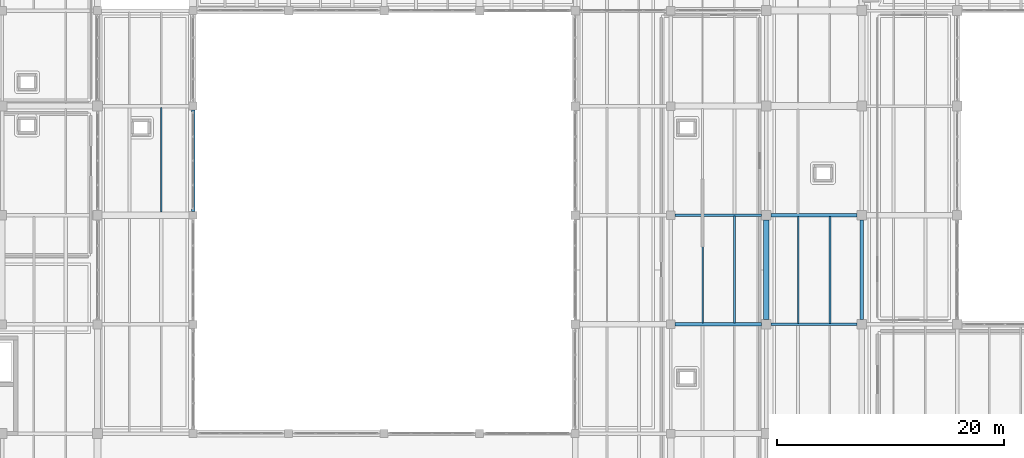
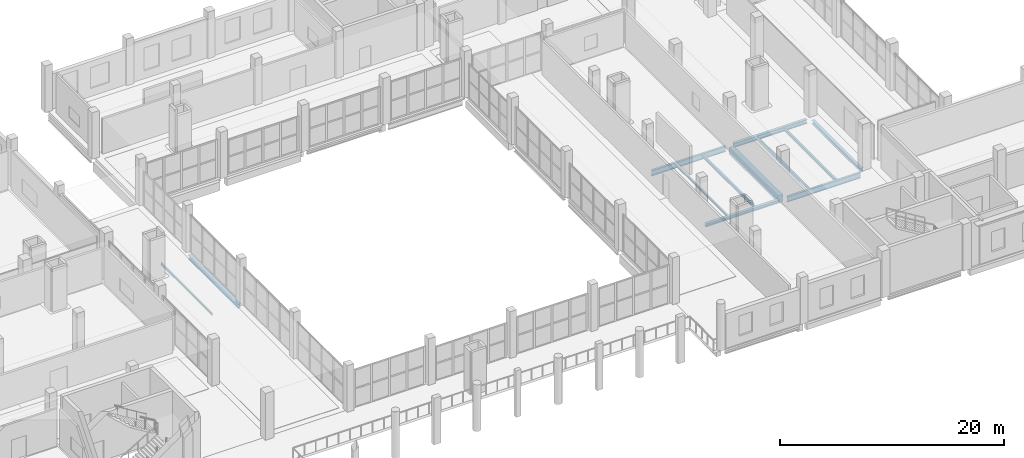
# One storey, part 18 of 66: 12 beams.
"""IFC4 building model written with IfcOpenShell, lengths in metres."""

import ifcopenshell
import ifcopenshell.guid

model = None  # the IFC model being written
_history = None  # IfcOwnerHistory: only IFC2X3 demands one
_inside = {}  # id of a spatial element -> (the spatial element, [elements in it])
_under = {}  # id of a project, library or spatial element -> (it, [spatial elements below it])
_declared = {}  # id of a project -> (the project, [libraries it declares])
_typed = {}  # id of a type object -> (the type object, [elements of that type])
_made_of = {}  # id of a material, layer set ... -> (it, [elements and type objects made of it])


def new_model(schema):
    """Start an empty IFC model of exactly this schema.

    Asked for "IFC4X3", IfcOpenShell would pick the latest addendum, in which some entities
    have other attributes; the version numbers below select the first issue.
    IFC2X3 requires an IfcOwnerHistory on every rooted entity: one is made here for all.
    """
    global model, _history
    if schema == "IFC4X3":
        model = ifcopenshell.file(schema_version=(4, 3, 0, 0))
    else:
        model = ifcopenshell.file(schema=schema)
    _inside.clear()
    _under.clear()
    _declared.clear()
    _typed.clear()
    _made_of.clear()
    _history = None
    if model.schema == "IFC2X3":
        org = make("IfcOrganization", Name="unknown")
        user = make(
            "IfcPersonAndOrganization",
            ThePerson=make("IfcPerson", FamilyName="unknown"),
            TheOrganization=org,
        )
        app = make(
            "IfcApplication",
            ApplicationDeveloper=org,
            Version="unknown",
            ApplicationFullName="unknown",
            ApplicationIdentifier="unknown",
        )
        _history = make(
            "IfcOwnerHistory",
            OwningUser=user,
            OwningApplication=app,
            ChangeAction="ADDED",
            CreationDate=0,
        )
    return model


def make(cls, **values):
    """One entity of the class cls with the attributes given. An attribute that is None is left unset."""
    return model.create_entity(
        cls, **{name: value for name, value in values.items() if value is not None}
    )


def rooted(cls, **values):
    """An entity with a GlobalId (a new one), such as an element, a storey or a relation."""
    return make(cls, GlobalId=ifcopenshell.guid.new(), OwnerHistory=_history, **values)


def si_unit(unit_type, name, prefix=None):
    """IfcSIUnit, for example si_unit("LENGTHUNIT", "METRE", prefix="MILLI")."""
    return make("IfcSIUnit", UnitType=unit_type, Prefix=prefix, Name=name)


def assignment(units):
    """IfcUnitAssignment: the units of a project."""
    return None if units is None else make("IfcUnitAssignment", Units=units)


def point(xyz):
    """IfcCartesianPoint."""
    return None if xyz is None else make("IfcCartesianPoint", Coordinates=xyz)


def direction(xyz):
    """IfcDirection."""
    return None if xyz is None else make("IfcDirection", DirectionRatios=xyz)


def frame(location, z_axis=None, x_axis=None):
    """IfcAxis2Placement3D, a coordinate frame: its origin and axes. An axis left out is left unset."""
    return make(
        "IfcAxis2Placement3D",
        Location=point(location),
        Axis=direction(z_axis),
        RefDirection=direction(x_axis),
    )


def frame_2d(location, x_axis=None):
    """IfcAxis2Placement2D, a coordinate frame in the plane: its origin and x axis."""
    return make(
        "IfcAxis2Placement2D", Location=point(location), RefDirection=direction(x_axis)
    )


def origin():
    """The frame at (0, 0, 0) with its axes left unset."""
    return frame((0.0, 0.0, 0.0))


def origin_2d():
    """The frame at (0, 0) in the plane with its x axis left unset."""
    return frame_2d((0.0, 0.0))


def place(relative_to, where):
    """IfcLocalPlacement: puts the frame where relative to a parent placement (None: the world)."""
    return make(
        "IfcLocalPlacement", PlacementRelTo=relative_to, RelativePlacement=where
    )


def context(
    kind, dimensions, precision=None, world=None, true_north=None, identifier=None
):
    """IfcGeometricRepresentationContext, for example the 3D "Model" context."""
    return make(
        "IfcGeometricRepresentationContext",
        ContextIdentifier=identifier,
        ContextType=kind,
        CoordinateSpaceDimension=dimensions,
        Precision=precision,
        WorldCoordinateSystem=world,
        TrueNorth=true_north,
    )


def subcontext(parent, identifier, kind, view, scale=None):
    """IfcGeometricRepresentationSubContext, for example "Body" below "Model"."""
    return make(
        "IfcGeometricRepresentationSubContext",
        ContextIdentifier=identifier,
        ContextType=kind,
        ParentContext=parent,
        TargetScale=scale,
        TargetView=view,
    )


def project(units=None, contexts=None):
    """IfcProject with its units and contexts."""
    return rooted(
        "IfcProject",
        Name="project",
        RepresentationContexts=contexts,
        UnitsInContext=assignment(units),
    )


def spatial(cls, under=None, at=None, **own):
    """A site, building, storey or space (cls), placed at a placement, below another one or the project."""
    s = rooted(cls, ObjectPlacement=at, **own)
    if under is not None:
        _under.setdefault(under.id(), (under, []))[1].append(s)
    return s


def profile(cls, at=None, kind="AREA", **sizes):
    """A parametric profile (cls). Its sizes go by their IFC names, for example OverallWidth=200.0."""
    return make(cls, ProfileType=kind, Position=at, **sizes)


def rectangle(**sizes):
    """IfcRectangleProfileDef."""
    return profile("IfcRectangleProfileDef", **sizes)


def i_section(**sizes):
    """IfcIShapeProfileDef."""
    return profile("IfcIShapeProfileDef", **sizes)


def extrude(swept, where, along, depth):
    """IfcExtrudedAreaSolid: the profile swept, set in the frame where, extruded along a direction by depth."""
    return make(
        "IfcExtrudedAreaSolid",
        SweptArea=swept,
        Position=where,
        ExtrudedDirection=direction(along),
        Depth=depth,
    )


def shape(context_of_items, identifier, shape_type, items):
    """IfcShapeRepresentation: the items that make up one representation, for example the "Body"."""
    return make(
        "IfcShapeRepresentation",
        ContextOfItems=context_of_items,
        RepresentationIdentifier=identifier,
        RepresentationType=shape_type,
        Items=items,
    )


def material(Name=None, Category=None):
    """IfcMaterial."""
    return make("IfcMaterial", Name=Name, Category=Category)


def material_profile(
    of_material, cross_section, Name=None, Category=None, Priority=None
):
    """IfcMaterialProfile: a cross section and its material."""
    return make(
        "IfcMaterialProfile",
        Name=Name,
        Material=of_material,
        Profile=cross_section,
        Priority=Priority,
        Category=Category,
    )


def profile_set(profiles, Name=None, composite=None):
    """IfcMaterialProfileSet."""
    return make(
        "IfcMaterialProfileSet",
        Name=Name,
        MaterialProfiles=profiles,
        CompositeProfile=composite,
    )


def made_of(thing, what):
    """Note that an element or type object is made of a material, layer set ...; save() writes the relation."""
    if what is not None:
        _made_of.setdefault(what.id(), (what, []))[1].append(thing)
    return thing


def type_object(cls, material=None, **own):
    """A type object (cls), such as IfcWallType, which elements share."""
    return made_of(rooted(cls, **own), material)


def element(
    cls,
    number,
    at=None,
    inside=None,
    cuts=None,
    type_object=None,
    material=None,
    context=None,
    identifier="Body",
    shape_type=None,
    held_by="IfcProductDefinitionShape",
    body=None,
    shapes=None,
    **own,
):
    """One element of the class cls, such as IfcWall. Its Tag is "e" and its number.

    at: its placement. inside: the storey or other place that contains it. cuts: it is an
    opening in that element (IfcRelVoidsElement). A single representation is given by context,
    identifier, shape_type and body (its items); several are given by shapes. held_by: the class
    of the entity that holds the representations. save() writes the other relations.
    """
    e = rooted(cls, Tag="e%d" % number, ObjectPlacement=at, **own)
    if body is not None:
        shapes = [shape(context, identifier, shape_type, body)]
    if shapes is not None:
        e.Representation = make(held_by, Representations=shapes)
    if inside is not None:
        _inside.setdefault(inside.id(), (inside, []))[1].append(e)
    if cuts is not None:
        rooted(
            "IfcRelVoidsElement", RelatingBuildingElement=cuts, RelatedOpeningElement=e
        )
    if type_object is not None:
        _typed.setdefault(type_object.id(), (type_object, []))[1].append(e)
    return made_of(e, material)


def aggregate(whole, parts):
    """IfcRelAggregates: a whole, such as a stair, and the parts it consists of."""
    return rooted("IfcRelAggregates", RelatingObject=whole, RelatedObjects=parts)


def save(model, path):
    """Write the relations noted so far, then the file.

    IfcRelAggregates (storeys below a building ...), IfcRelContainedInSpatialStructure (elements
    in a storey), IfcRelDefinesByType, IfcRelAssociatesMaterial and IfcRelDeclares: one each for
    every whole, place, type object, material and project.
    """
    for whole, parts in _under.values():
        aggregate(whole, parts)
    for where, things in _inside.values():
        rooted(
            "IfcRelContainedInSpatialStructure",
            RelatedElements=things,
            RelatingStructure=where,
        )
    for kind, things in _typed.values():
        rooted("IfcRelDefinesByType", RelatedObjects=things, RelatingType=kind)
    for what, things in _made_of.values():
        rooted("IfcRelAssociatesMaterial", RelatedObjects=things, RelatingMaterial=what)
    for by, libraries in _declared.values():
        rooted("IfcRelDeclares", RelatingContext=by, RelatedDefinitions=libraries)
    model.write(path)


model = new_model("IFC4")

# Units and contexts
model_context = context("Model", 3, precision=1e-05, world=origin(), true_north=direction((0.0, 1.0)))
body_context = subcontext(model_context, "Body", "Model", "MODEL_VIEW")
ifc_project = project(units=[si_unit("LENGTHUNIT", "METRE"), si_unit("AREAUNIT", "SQUARE_METRE"), si_unit("VOLUMEUNIT", "CUBIC_METRE"), si_unit("PLANEANGLEUNIT", "RADIAN"), si_unit("MASSUNIT", "GRAM", prefix="KILO")], contexts=[model_context])

# Site, building, storey
site_placement = place(None, origin())
site = spatial("IfcSite", under=ifc_project, at=site_placement, CompositionType="ELEMENT")
building_placement = place(site_placement, origin())
building = spatial("IfcBuilding", under=site, at=building_placement, Name="Zulmaris Art Gallery", CompositionType="ELEMENT")
storey_placement = place(building_placement, frame((0.0, 0.0, 5.39990234375)))
storey = spatial("IfcBuildingStorey", under=building, at=storey_placement, Name="L01", CompositionType="ELEMENT", Elevation=5.39990234375)

# Beams
ifc_material_1 = material(Name="Steel S355J2", Category="steel")
ifc_material_profile_1 = material_profile(ifc_material_1, i_section(OverallWidth=0.219970703125, OverallDepth=0.60009765625, WebThickness=0.011962890625, FlangeThickness=0.01904296875, FilletRadius=0.02392578125, at=origin_2d()), Name="IPE 600")
ifc_profile_set_1 = profile_set([ifc_material_profile_1], Name="Steel S355J2")
beam_type_1 = type_object("IfcBeamType", Name="BEAM-BM07", PredefinedType="BEAM", material=ifc_profile_set_1)
beam_1_placement = place(storey_placement, frame((142.010009765625, 31.199951171875, -0.6298828125), z_axis=(1.0, 0.0, 0.0), x_axis=(0.0, 1.0, 0.0)))
element("IfcBeam", 1, at=beam_1_placement, inside=storey, type_object=beam_type_1, Name="L01 X-girder (141.6..150.0, y=31.2)", PredefinedType="BEAM", context=body_context, shape_type="SweptSolid", body=[
    extrude(i_section(OverallWidth=0.219970703125, OverallDepth=0.60009765625, WebThickness=0.011962890625, FlangeThickness=0.01904296875, FilletRadius=0.02392578125, at=origin_2d()), origin(), (0.0, 0.0, 1.0), 7.580078125),
])
beam_2_placement = place(storey_placement, frame((133.56005859375, 40.800048828125, -0.6298828125), z_axis=(1.0, 0.0, 0.0), x_axis=(0.0, 1.0, 0.0)))
element("IfcBeam", 2, at=beam_2_placement, inside=storey, type_object=beam_type_1, Name="L01 X-girder (133.2..141.6, y=40.8)", PredefinedType="BEAM", context=body_context, shape_type="SweptSolid", body=[
    extrude(i_section(OverallWidth=0.219970703125, OverallDepth=0.60009765625, WebThickness=0.011962890625, FlangeThickness=0.01904296875, FilletRadius=0.02392578125, at=origin_2d()), origin(), (0.0, 0.0, 1.0), 7.6298828125),
])
ifc_material_profile_2 = material_profile(ifc_material_1, i_section(OverallWidth=0.300048828125, OverallDepth=0.330078125, WebThickness=0.009521484375, FlangeThickness=0.0166015625, FilletRadius=0.027099609375, at=origin_2d()), Name="HEA 340")
ifc_profile_set_2 = profile_set([ifc_material_profile_2], Name="Steel S355J2")
beam_type_2 = type_object("IfcBeamType", Name="BEAM-BM08", PredefinedType="BEAM", material=ifc_profile_set_2)
beam_3_placement = place(storey_placement, frame((133.56005859375, 31.199951171875, -0.494873046875), z_axis=(1.0, 0.0, 0.0), x_axis=(0.0, 1.0, 0.0)))
element("IfcBeam", 3, at=beam_3_placement, inside=storey, type_object=beam_type_2, Name="L01 X-girder (133.2..141.6, y=31.2)", PredefinedType="BEAM", context=body_context, shape_type="SweptSolid", body=[
    extrude(i_section(OverallWidth=0.300048828125, OverallDepth=0.330078125, WebThickness=0.009521484375, FlangeThickness=0.0166015625, FilletRadius=0.027099609375, at=origin_2d()), origin(), (0.0, 0.0, 1.0), 7.6298828125),
])
ifc_material_profile_3 = material_profile(ifc_material_1, i_section(OverallWidth=0.300048828125, OverallDepth=0.389892578125, WebThickness=0.010986328125, FlangeThickness=0.01904296875, FilletRadius=0.027099609375, at=origin_2d()), Name="HEA 400")
ifc_profile_set_3 = profile_set([ifc_material_profile_3], Name="Steel S355J2")
beam_type_3 = type_object("IfcBeamType", Name="BEAM-BM09", PredefinedType="BEAM", material=ifc_profile_set_3)
beam_4_placement = place(storey_placement, frame((150.0, 31.610107421875, -0.52490234375), z_axis=(0.0, 1.0, 0.0), x_axis=(-1.0, 0.0, 0.0)))
element("IfcBeam", 4, at=beam_4_placement, inside=storey, type_object=beam_type_3, Name="L01 Y-girder (x=150.0, 31.2..40.8)", PredefinedType="BEAM", context=body_context, shape_type="SweptSolid", body=[
    extrude(i_section(OverallWidth=0.300048828125, OverallDepth=0.389892578125, WebThickness=0.010986328125, FlangeThickness=0.01904296875, FilletRadius=0.027099609375, at=origin_2d()), origin(), (0.0, 0.0, 1.0), 8.77978515625),
])
ifc_material_profile_4 = material_profile(ifc_material_1, i_section(OverallWidth=0.300048828125, OverallDepth=0.449951171875, WebThickness=0.013916015625, FlangeThickness=0.02587890625, FilletRadius=0.027099609375, at=origin_2d()), Name="HEB 450")
ifc_profile_set_4 = profile_set([ifc_material_profile_4], Name="Steel S355J2")
beam_type_4 = type_object("IfcBeamType", Name="BEAM-BM13", PredefinedType="BEAM", material=ifc_profile_set_4)
beam_5_placement = place(storey_placement, frame((142.010009765625, 40.800048828125, -0.554931640625), z_axis=(1.0, 0.0, 0.0), x_axis=(0.0, 1.0, 0.0)))
element("IfcBeam", 5, at=beam_5_placement, inside=storey, type_object=beam_type_4, Name="L01 X-girder (141.6..150.0, y=40.8)", PredefinedType="BEAM", context=body_context, shape_type="SweptSolid", body=[
    extrude(i_section(OverallWidth=0.300048828125, OverallDepth=0.449951171875, WebThickness=0.013916015625, FlangeThickness=0.02587890625, FilletRadius=0.027099609375, at=origin_2d()), origin(), (0.0, 0.0, 1.0), 7.580078125),
])
beam_6_placement = place(storey_placement, frame((91.199951171875, 41.135009765625, -0.554931640625), z_axis=(0.0, 1.0, 0.0), x_axis=(-1.0, 0.0, 0.0)))
element("IfcBeam", 6, at=beam_6_placement, inside=storey, type_object=beam_type_4, Name="L01 Y-girder (x=91.2, 40.8..50.4)", PredefinedType="BEAM", context=body_context, shape_type="SweptSolid", body=[
    extrude(i_section(OverallWidth=0.300048828125, OverallDepth=0.449951171875, WebThickness=0.013916015625, FlangeThickness=0.02587890625, FilletRadius=0.027099609375, at=origin_2d()), origin(), (0.0, 0.0, 1.0), 8.929931640625),
])
ifc_material_2 = material(Name="Concrete C40/50", Category="concrete")
ifc_material_profile_5 = material_profile(ifc_material_2, rectangle(XDim=0.5, YDim=0.75, at=origin_2d()), Name="RC 500x750")
ifc_profile_set_5 = profile_set([ifc_material_profile_5], Name="Concrete C40/50")
beam_type_5 = type_object("IfcBeamType", Name="BEAM-BM20", PredefinedType="BEAM", material=ifc_profile_set_5)
beam_7_placement = place(storey_placement, frame((141.60009765625, 31.610107421875, -0.704833984375), z_axis=(0.0, 1.0, 0.0), x_axis=(-1.0, 0.0, 0.0)))
element("IfcBeam", 7, at=beam_7_placement, inside=storey, type_object=beam_type_5, Name="L01 Y-girder (x=141.6, 31.2..40.8)", PredefinedType="BEAM", context=body_context, shape_type="SweptSolid", body=[
    extrude(rectangle(XDim=0.5, YDim=0.75, at=origin_2d()), origin(), (0.0, 0.0, 1.0), 8.77978515625),
])
ifc_material_profile_6 = material_profile(ifc_material_1, i_section(OverallWidth=0.1201171875, OverallDepth=0.239990234375, WebThickness=0.006103515625, FlangeThickness=0.009765625, FilletRadius=0.014892578125, at=origin_2d()), Name="IPE 240")
ifc_profile_set_6 = profile_set([ifc_material_profile_6], Name="Steel S355J2")
beam_type_6 = type_object("IfcBeamType", Name="BEAM-JS01", PredefinedType="JOIST", material=ifc_profile_set_6)
beam_8_placement = place(storey_placement, frame((88.39990234375, 41.074951171875, -0.449951171875), z_axis=(0.0, 1.0, 0.0), x_axis=(-1.0, 0.0, 0.0)))
element("IfcBeam", 8, at=beam_8_placement, inside=storey, type_object=beam_type_6, Name="L01 secondary joist at x=88.4", PredefinedType="JOIST", context=body_context, shape_type="SweptSolid", body=[
    extrude(i_section(OverallWidth=0.1201171875, OverallDepth=0.239990234375, WebThickness=0.006103515625, FlangeThickness=0.009765625, FilletRadius=0.014892578125, at=origin_2d()), origin(), (0.0, 0.0, 1.0), 9.199951171875),
])
ifc_material_profile_7 = material_profile(ifc_material_1, i_section(OverallWidth=0.135009765625, OverallDepth=0.27001953125, WebThickness=0.006591796875, FlangeThickness=0.01025390625, FilletRadius=0.014892578125, at=origin_2d()), Name="IPE 270")
ifc_profile_set_7 = profile_set([ifc_material_profile_7], Name="Steel S355J2")
beam_type_7 = type_object("IfcBeamType", Name="BEAM-JS02", PredefinedType="JOIST", material=ifc_profile_set_7)
for number, where, z_axis, x_axis, name in (
    (9, (136.0, 31.324951171875, -0.46484375), (0.0, 1.0, 0.0), (-1.0, 0.0, 0.0), "L01 secondary joist at x=136.0"),
    (10, (144.39990234375, 31.284912109375, -0.46484375), (0.0, 1.0, 0.0), (-1.0, 0.0, 0.0), "L01 secondary joist at x=144.4"),
):
    element("IfcBeam", number, at=place(storey_placement, frame(where, z_axis=z_axis, x_axis=x_axis)), inside=storey, type_object=beam_type_7, Name=name, PredefinedType="JOIST", context=body_context, shape_type="SweptSolid", body=[
        extrude(i_section(OverallWidth=0.135009765625, OverallDepth=0.27001953125, WebThickness=0.006591796875, FlangeThickness=0.01025390625, FilletRadius=0.014892578125, at=origin_2d()), origin(), (0.0, 0.0, 1.0), 9.39013671875),
    ])
ifc_material_profile_8 = material_profile(ifc_material_1, i_section(OverallWidth=0.159912109375, OverallDepth=0.330078125, WebThickness=0.007568359375, FlangeThickness=0.011474609375, FilletRadius=0.01806640625, at=origin_2d()), Name="IPE 330")
ifc_profile_set_8 = profile_set([ifc_material_profile_8], Name="Steel S355J2")
beam_type_8 = type_object("IfcBeamType", Name="BEAM-JS03", PredefinedType="JOIST", material=ifc_profile_set_8)
for number, where, z_axis, x_axis, name in (
    (11, (138.800048828125, 31.324951171875, -0.494873046875), (0.0, 1.0, 0.0), (-1.0, 0.0, 0.0), "L01 secondary joist at x=138.8"),
    (12, (147.199951171875, 31.284912109375, -0.494873046875), (0.0, 1.0, 0.0), (-1.0, 0.0, 0.0), "L01 secondary joist at x=147.2"),
):
    element("IfcBeam", number, at=place(storey_placement, frame(where, z_axis=z_axis, x_axis=x_axis)), inside=storey, type_object=beam_type_8, Name=name, PredefinedType="JOIST", context=body_context, shape_type="SweptSolid", body=[
        extrude(i_section(OverallWidth=0.159912109375, OverallDepth=0.330078125, WebThickness=0.007568359375, FlangeThickness=0.011474609375, FilletRadius=0.01806640625, at=origin_2d()), origin(), (0.0, 0.0, 1.0), 9.39013671875),
    ])

save(model, "model.ifc")
